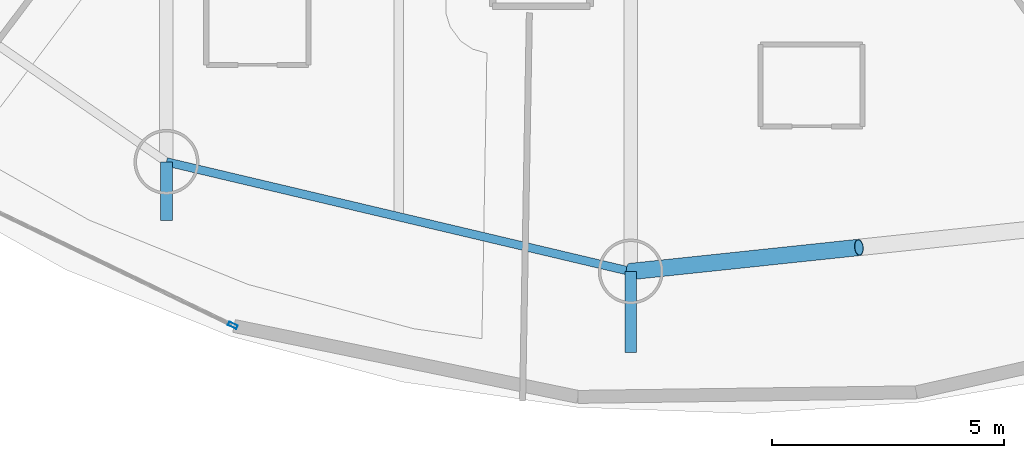
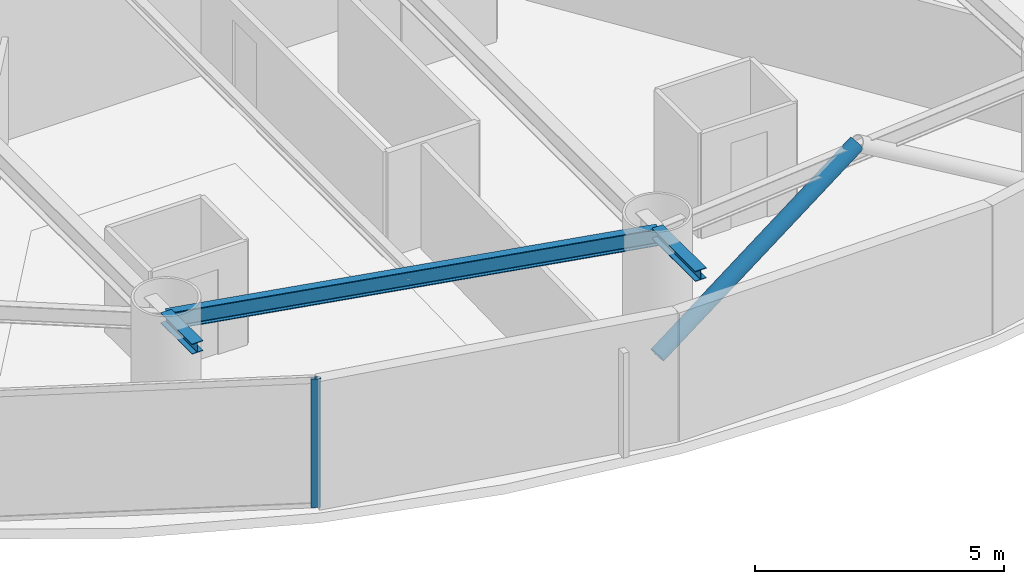
# One storey, part 4 of 21: 3 beams, 2 members, 1 element without a shape of its own.
"""IFC4 building model written with IfcOpenShell, lengths in metres."""

from ifc_helpers import new_model, si_unit, direction, frame, origin, origin_2d, place, context, subcontext, project, spatial, hollow_rectangle, hollow_circle, i_section, extrude, material, layer, layer_set, material_profile, profile_set, type_object, element, aggregate, save


model = new_model("IFC4")

# Units and contexts
model_context = context("Model", 3, precision=1e-05, world=origin(), true_north=direction((0.0, 1.0)))
body_context = subcontext(model_context, "Body", "Model", "MODEL_VIEW")
ifc_project = project(units=[si_unit("LENGTHUNIT", "METRE"), si_unit("AREAUNIT", "SQUARE_METRE"), si_unit("VOLUMEUNIT", "CUBIC_METRE"), si_unit("PLANEANGLEUNIT", "RADIAN"), si_unit("MASSUNIT", "GRAM", prefix="KILO")], contexts=[model_context])

# Site, building, storey
site_placement = place(None, origin())
site = spatial("IfcSite", under=ifc_project, at=site_placement, CompositionType="ELEMENT")
building_placement = place(site_placement, origin())
building = spatial("IfcBuilding", under=site, at=building_placement, Name="Bramvorn Convention Spire", CompositionType="ELEMENT")
storey_placement = place(building_placement, frame((0.0, 0.0, 162.300048828125)))
storey = spatial("IfcBuildingStorey", under=building, at=storey_placement, Name="L41", CompositionType="ELEMENT", Elevation=162.300048828125)

# Beams
ifc_material_1 = material(Name="Steel CSA G40.21 Grade 350 (350W)", Category="steel")
ifc_material_profile_1 = material_profile(ifc_material_1, i_section(OverallWidth=0.25390625, OverallDepth=0.2529296875, WebThickness=0.008544921875, FlangeThickness=0.01416015625, FilletRadius=0.011962890625, at=origin_2d()))
ifc_profile_set_1 = profile_set([ifc_material_profile_1], Name="Steel CSA G40.21 Grade 350 (350W) - W250X73")
beam_type_1 = type_object("IfcBeamType", Name="BM-W250X73", PredefinedType="BEAM", material=ifc_profile_set_1)
beam_1_placement = place(storey_placement, frame((29.917236328125, 7.845947265625, 3.0234375), z_axis=(0.0, -1.0, 0.0), x_axis=(1.0, 0.0, 0.0)))
element("IfcBeam", 1, at=beam_1_placement, inside=storey, type_object=beam_type_1, Name="L41 slab-edge cantilever tip beam MC13", PredefinedType="BEAM", context=body_context, shape_type="SweptSolid", body=[
    extrude(i_section(OverallWidth=0.25390625, OverallDepth=0.2529296875, WebThickness=0.008544921875, FlangeThickness=0.01416015625, FilletRadius=0.011962890625, at=origin_2d()), origin(), (0.0, 0.0, 1.0), 1.262451171875),
])
beam_2_placement = place(storey_placement, frame((39.924072265625, 5.482666015625, 3.0234375), z_axis=(0.0, -1.0, 0.0), x_axis=(1.0, 0.0, 0.0)))
element("IfcBeam", 2, at=beam_2_placement, inside=storey, type_object=beam_type_1, Name="L41 slab-edge cantilever tip beam MC14", PredefinedType="BEAM", context=body_context, shape_type="SweptSolid", body=[
    extrude(i_section(OverallWidth=0.25390625, OverallDepth=0.2529296875, WebThickness=0.008544921875, FlangeThickness=0.01416015625, FilletRadius=0.011962890625, at=origin_2d()), origin(), (0.0, 0.0, 1.0), 1.740966796875),
])
ifc_material_profile_2 = material_profile(ifc_material_1, i_section(OverallWidth=0.180908203125, OverallDepth=0.4169921875, WebThickness=0.010986328125, FlangeThickness=0.018310546875, FilletRadius=0.01611328125, at=origin_2d()))
ifc_profile_set_2 = profile_set([ifc_material_profile_2], Name="Steel CSA G40.21 Grade 350 (350W) - W410X85")
beam_type_2 = type_object("IfcBeamType", Name="BM-W410X85", PredefinedType="JOIST", material=ifc_profile_set_2)
beam_3_placement = place(storey_placement, frame((29.917236328125, 7.845947265625, 2.94140625), z_axis=(0.97322750491, -0.229843911572, 0.0), x_axis=(0.229843911572, 0.97322750491, 0.0)))
element("IfcBeam", 3, at=beam_3_placement, inside=storey, type_object=beam_type_2, Name="L41 mega-column ring beam 13", PredefinedType="JOIST", context=body_context, shape_type="SweptSolid", body=[
    extrude(i_section(OverallWidth=0.180908203125, OverallDepth=0.4169921875, WebThickness=0.010986328125, FlangeThickness=0.018310546875, FilletRadius=0.01611328125, at=origin_2d()), origin(), (0.0, 0.0, 1.0), 10.2822265625),
])

# Curtain wall, member
ifc_material_2 = material(Name="Anodised Bronze Unitised Curtain Wall", Category="aluminium")
ifc_layer = layer(ifc_material_2, 0.179931640625)
ifc_layer_set = layer_set([ifc_layer], Name="Anodised Bronze Unitised Curtain Wall - CW-HTL-FRIT")
curtain_wall_type = type_object("IfcCurtainWallType", Name="CW-HTL-FRIT", PredefinedType="USERDEFINED", material=ifc_layer_set)
curtain_wall_placement = place(storey_placement, origin())
curtain_wall = element("IfcCurtainWall", 4, at=curtain_wall_placement, inside=storey, type_object=curtain_wall_type, Name="L41 fritted glass curtain wall 19", ObjectType="UNITISED CURTAIN WALL", PredefinedType="USERDEFINED")
ifc_material_3 = material(Name="Anodised Bronze Aluminium 6063-T6", Category="aluminium")
ifc_material_profile_3 = material_profile(ifc_material_3, hollow_rectangle(XDim=0.080078125, YDim=0.199951171875, WallThickness=0.00390625, InnerFilletRadius=0.0009765625, OuterFilletRadius=0.00390625, at=origin_2d()))
ifc_profile_set_3 = profile_set([ifc_material_profile_3], Name="Anodised Bronze Aluminium 6063-T6 - CWM80X200")
member_type_1 = type_object("IfcMemberType", Name="CW-MUL-180", PredefinedType="MULLION", material=ifc_profile_set_3)
member_1_placement = place(storey_placement, frame((31.34765625, 4.322021484375, 0.0), z_axis=(0.0, 0.0, 1.0), x_axis=(-0.434476641571, -0.900683100724, 0.0)))
member_1 = element("IfcMember", 5, at=member_1_placement, type_object=member_type_1, Name="CW2 mullion 1", PredefinedType="MULLION", context=body_context, shape_type="SweptSolid", body=[
    extrude(hollow_rectangle(XDim=0.080078125, YDim=0.199951171875, WallThickness=0.00390625, InnerFilletRadius=0.0009765625, OuterFilletRadius=0.00390625, at=origin_2d()), origin(), (0.0, 0.0, 1.0), 3.14990234375),
])
aggregate(curtain_wall, [member_1])

# Member
ifc_material_profile_4 = material_profile(ifc_material_1, hollow_circle(Radius=0.177734375, WallThickness=0.015869140625, at=origin_2d()))
ifc_profile_set_4 = profile_set([ifc_material_profile_4], Name="Steel CSA G40.21 Grade 350 (350W) - CHS356X16")
member_type_2 = type_object("IfcMemberType", Name="MBR-CHS356X16", PredefinedType="BRACE", material=ifc_profile_set_4)
member_2_placement = place(storey_placement, frame((39.924072265625, 5.482666015625, 0.0), z_axis=(0.83882481606, 0.088553721648, 0.53715097165), x_axis=(-0.104985392894, 0.994473763997, 0.0)))
element("IfcMember", 6, at=member_2_placement, inside=storey, type_object=member_type_2, Name="L41 perimeter Gothic lancet brace 14A", PredefinedType="BRACE", context=body_context, shape_type="SweptSolid", body=[
    extrude(hollow_circle(Radius=0.177734375, WallThickness=0.015869140625, at=origin_2d()), origin(), (0.0, 0.0, 1.0), 5.864013671875),
])

save(model, "model.ifc")
